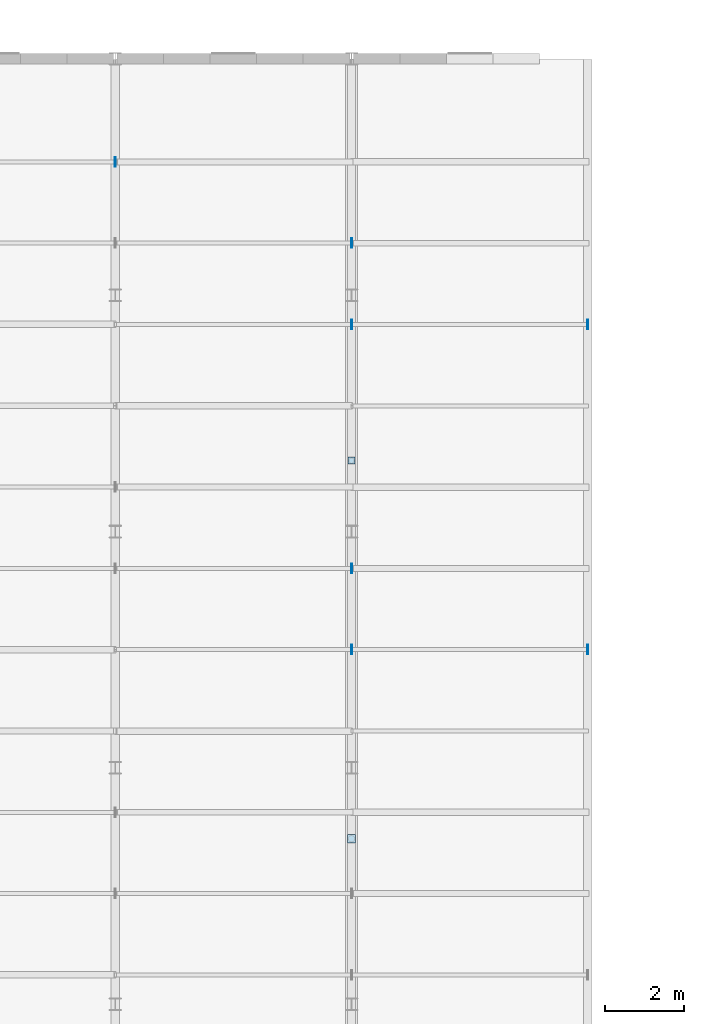
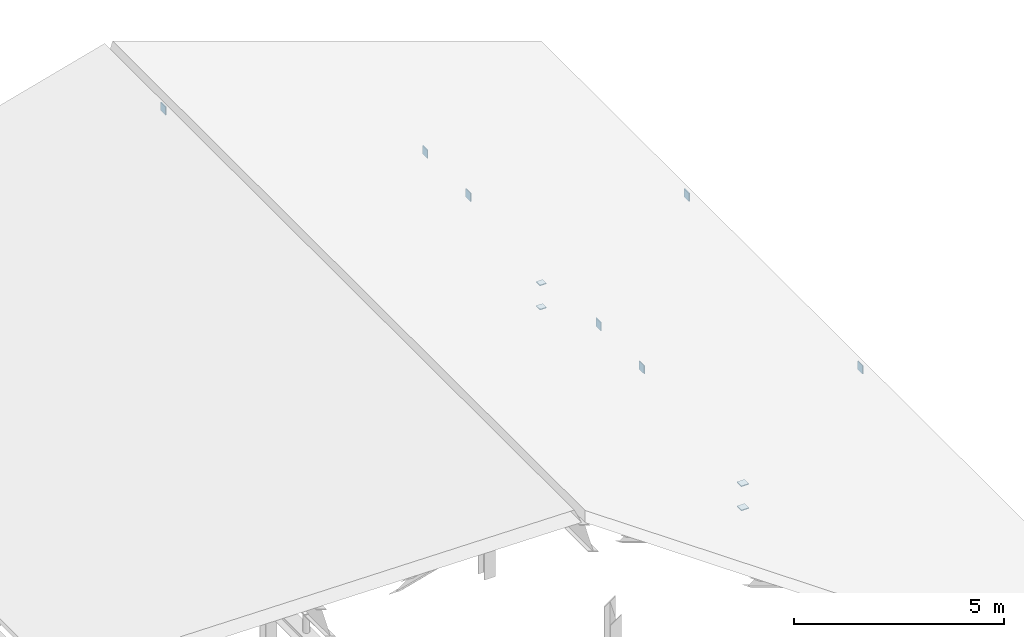
# One storey, part 55 of 74: 11 plates.
"""IFC4 building model written with IfcOpenShell, lengths in metres."""

from ifc_helpers import new_model, si_unit, direction, frame, origin, origin_2d, place, context, subcontext, project, spatial, rectangle, extrude, material, layer, layer_set, type_object, element, save


model = new_model("IFC4")

# Units and contexts
model_context = context("Model", 3, precision=1e-05, world=origin(), true_north=direction((0.0, 1.0)))
body_context = subcontext(model_context, "Body", "Model", "MODEL_VIEW")
ifc_project = project(units=[si_unit("LENGTHUNIT", "METRE"), si_unit("AREAUNIT", "SQUARE_METRE"), si_unit("VOLUMEUNIT", "CUBIC_METRE"), si_unit("PLANEANGLEUNIT", "RADIAN"), si_unit("MASSUNIT", "GRAM", prefix="KILO")], contexts=[model_context])

# Site, building, storey
site_placement = place(None, origin())
site = spatial("IfcSite", under=ifc_project, at=site_placement, CompositionType="ELEMENT")
building_placement = place(site_placement, origin())
building = spatial("IfcBuilding", under=site, at=building_placement, Name="Siltcreek Boulevard Central Fire Station", CompositionType="ELEMENT")
storey_placement = place(building_placement, frame((0.0, 0.0, 25.199951171875)))
storey = spatial("IfcBuildingStorey", under=building, at=storey_placement, Name="RF", CompositionType="ELEMENT", Elevation=25.199951171875)

# Plates
ifc_material = material(Name="Structural steel ASTM A572 Gr50", Category="steel")
ifc_layer = layer(ifc_material, 0.02490234375, Name="Structural steel ASTM A572 Gr50")
ifc_layer_set = layer_set([ifc_layer], Name="Structural steel ASTM A572 Gr50")
plate_type = type_object("IfcPlateType", Name="PL_CAP25", PredefinedType="USERDEFINED", material=ifc_layer_set)
plate_placement = place(storey_placement, frame((96.0, 51.3857421875, -7.09716796875), z_axis=(0.0, 0.0, 1.0), x_axis=(1.0, 0.0, 0.0)))
element("IfcPlate", 1, at=plate_placement, inside=storey, type_object=plate_type, Name="Sloped roof purlin PR-0139 sealed end cap 2", ObjectType="END CAP", PredefinedType="USERDEFINED", context=body_context, shape_type="SweptSolid", body=[
    extrude(rectangle(XDim=0.02490234375, YDim=0.239990234375, at=origin_2d()), origin(), (0.0, 0.0, 1.0), 0.239990234375),
])
for number, where, z_axis, x_axis, name in (
    (2, (102.0, 34.199951171875, -10.248779296875), (0.0, 0.0, 1.0), (1.0, 0.0, 0.0), "Roof truss web strut BR-048 sealed end cap 1"),
    (3, (102.0, 34.199951171875, -9.547607421875), (0.0, 0.0, 1.0), (1.0, 0.0, 0.0), "Roof truss web strut BR-048 sealed end cap 2"),
):
    element("IfcPlate", number, at=place(storey_placement, frame(where, z_axis=z_axis, x_axis=x_axis)), inside=storey, type_object=plate_type, Name=name, ObjectType="END CAP", PredefinedType="USERDEFINED", context=body_context, shape_type="SweptSolid", body=[
        extrude(rectangle(XDim=0.208251953125, YDim=0.208251953125, at=origin_2d()), origin(), (0.0, 0.0, 1.0), 0.02490234375),
    ])
for number, where, z_axis, x_axis, name in (
    (4, (102.0, 43.800048828125, -10.248779296875), (0.0, 0.0, 1.0), (1.0, 0.0, 0.0), "Roof truss web strut BR-049 sealed end cap 1"),
    (5, (102.0, 43.800048828125, -9.547607421875), (0.0, 0.0, 1.0), (1.0, 0.0, 0.0), "Roof truss web strut BR-049 sealed end cap 2"),
):
    element("IfcPlate", number, at=place(storey_placement, frame(where, z_axis=z_axis, x_axis=x_axis)), inside=storey, type_object=plate_type, Name=name, ObjectType="END CAP", PredefinedType="USERDEFINED", context=body_context, shape_type="SweptSolid", body=[
        extrude(rectangle(XDim=0.1796875, YDim=0.1796875, at=origin_2d()), origin(), (0.0, 0.0, 1.0), 0.02490234375),
    ])
for number, where, z_axis, x_axis, name in (
    (6, (102.0, 41.064208984375, -9.20458984375), (0.0, 0.0, 1.0), (1.0, 0.0, 0.0), "Sloped roof purlin PR-0147 sealed end cap 2"),
    (7, (102.0, 49.3212890625, -9.20458984375), (0.0, 0.0, 1.0), (1.0, 0.0, 0.0), "Sloped roof purlin PR-0151 sealed end cap 2"),
    (8, (102.0, 39.0, -9.20458984375), (0.0, 0.0, 1.0), (1.0, 0.0, 0.0), "Sloped roof purlin PR-0159 sealed end cap 1"),
    (9, (108.0, 39.0, -11.3046875), (0.0, 0.0, 1.0), (1.0, 0.0, 0.0), "Sloped roof purlin PR-0159 sealed end cap 2"),
    (10, (102.0, 47.257080078125, -9.20458984375), (0.0, 0.0, 1.0), (1.0, 0.0, 0.0), "Sloped roof purlin PR-0163 sealed end cap 1"),
    (11, (108.0, 47.257080078125, -11.3046875), (0.0, 0.0, 1.0), (1.0, 0.0, 0.0), "Sloped roof purlin PR-0163 sealed end cap 2"),
):
    element("IfcPlate", number, at=place(storey_placement, frame(where, z_axis=z_axis, x_axis=x_axis)), inside=storey, type_object=plate_type, Name=name, ObjectType="END CAP", PredefinedType="USERDEFINED", context=body_context, shape_type="SweptSolid", body=[
        extrude(rectangle(XDim=0.02490234375, YDim=0.239990234375, at=origin_2d()), origin(), (0.0, 0.0, 1.0), 0.239990234375),
    ])

save(model, "model.ifc")
